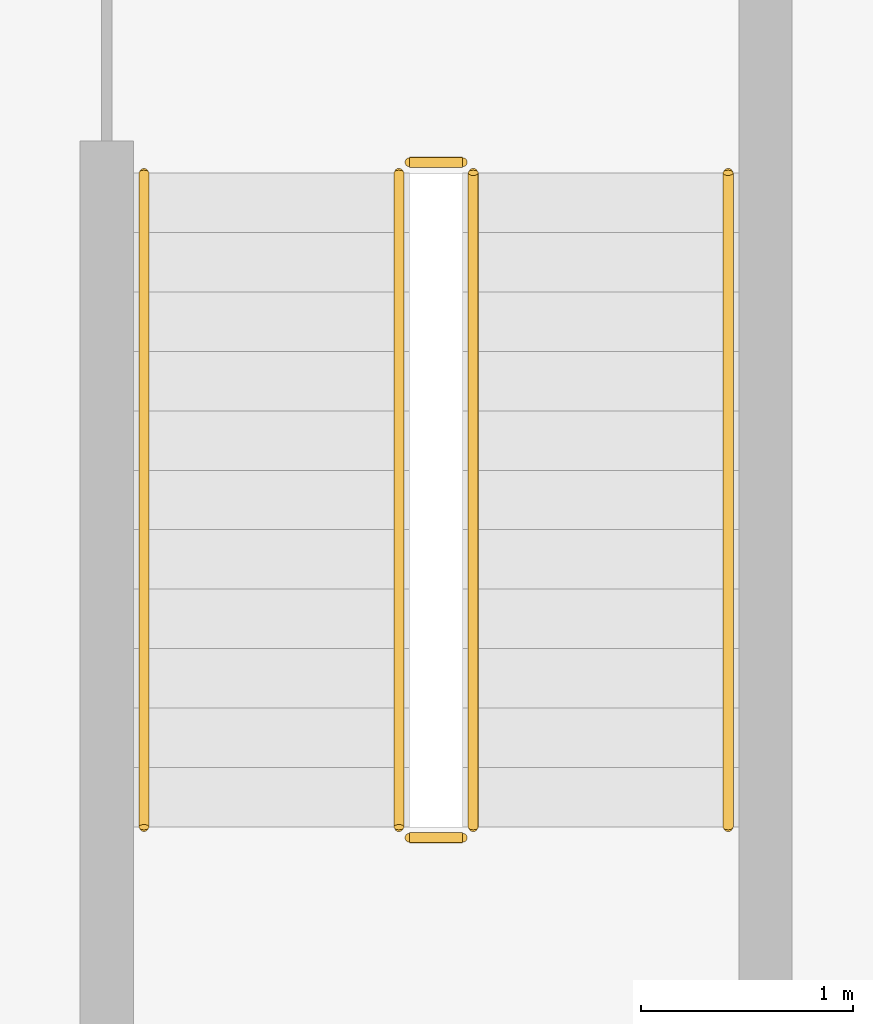
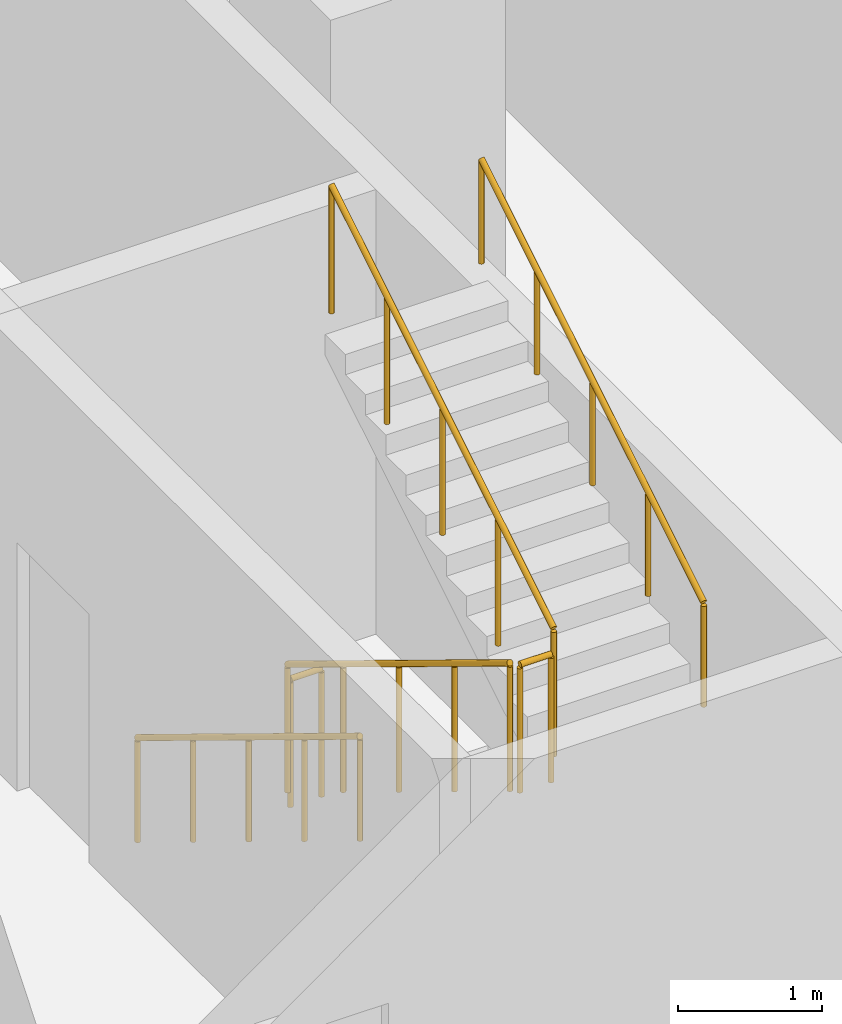
# One storey, part 24 of 29: 6 railings.
"""IFC4 building model written with IfcOpenShell, lengths in metres."""

from ifc_helpers import new_model, si_unit, direction, frame, origin, origin_2d, place, context, subcontext, project, spatial, circle, extrude, material, type_object, element, save


model = new_model("IFC4")

# Units and contexts
model_context = context("Model", 3, precision=1e-05, world=origin(), true_north=direction((0.0, 1.0)))
body_context = subcontext(model_context, "Body", "Model", "MODEL_VIEW")
ifc_project = project(units=[si_unit("LENGTHUNIT", "METRE"), si_unit("AREAUNIT", "SQUARE_METRE"), si_unit("VOLUMEUNIT", "CUBIC_METRE"), si_unit("PLANEANGLEUNIT", "RADIAN"), si_unit("MASSUNIT", "GRAM", prefix="KILO")], contexts=[model_context])

# Site, building, storey
site_placement = place(None, origin())
site = spatial("IfcSite", under=ifc_project, at=site_placement, CompositionType="ELEMENT")
building_placement = place(site_placement, origin())
building = spatial("IfcBuilding", under=site, at=building_placement, Name="Mahtab Terrace Research Tower", CompositionType="ELEMENT")
storey_placement = place(building_placement, frame((0.0, 0.0, 109.39990234375)))
storey = spatial("IfcBuildingStorey", under=building, at=storey_placement, Name="L25", CompositionType="ELEMENT", Elevation=109.39990234375)

# Railings
ifc_material = material(Name="Stainless steel AISI 304", Category="steel")
railing_type_1 = type_object("IfcRailingType", Name="Stair guard 1100", PredefinedType="GUARDRAIL", material=ifc_material)
railing_1_placement = place(storey_placement, frame((2.949951171875, -4.175048828125, 0.1708984375)))
element("IfcRailing", 1, at=railing_1_placement, inside=storey, type_object=railing_type_1, Name="L25 ST2 stair guard 1", PredefinedType="GUARDRAIL", context=body_context, shape_type="SweptSolid", body=[
    extrude(circle(Radius=0.02392578125, at=origin_2d()), frame((0.0, 0.0, 1.076171875), z_axis=(0.0, -0.853647949592, 0.520850437417), x_axis=(1.0, 0.0, 0.0)), (0.0, 0.0, 1.0), 3.60791015625),
    extrude(circle(Radius=0.02099609375, at=origin_2d()), origin(), (0.0, 0.0, 1.0), 1.052001953125),
    extrude(circle(Radius=0.02099609375, at=origin_2d()), frame((0.0, -0.77001953125, 0.4697265625)), (0.0, 0.0, 1.0), 1.052001953125),
    extrude(circle(Radius=0.02099609375, at=origin_2d()), frame((0.0, -1.5400390625, 0.939453125)), (0.0, 0.0, 1.0), 1.052001953125),
    extrude(circle(Radius=0.02099609375, at=origin_2d()), frame((0.0, -2.309814453125, 1.409423828125)), (0.0, 0.0, 1.0), 1.052001953125),
    extrude(circle(Radius=0.02099609375, at=origin_2d()), frame((0.0, -3.079833984375, 1.879150390625)), (0.0, 0.0, 1.0), 1.052001953125),
])
railing_2_placement = place(storey_placement, frame((3.0, -7.304931640625, 2.050048828125)))
element("IfcRailing", 2, at=railing_2_placement, inside=storey, type_object=railing_type_1, Name="L25 ST2 stair guard 2", PredefinedType="GUARDRAIL", context=body_context, shape_type="SweptSolid", body=[
    extrude(circle(Radius=0.02392578125, at=origin_2d()), frame((0.0, 0.0, 1.076171875), z_axis=(1.0, 0.0, 0.0), x_axis=(0.0, 1.0, 0.0)), (0.0, 0.0, 1.0), 0.25),
    extrude(circle(Radius=0.02099609375, at=origin_2d()), origin(), (0.0, 0.0, 1.0), 1.052001953125),
    extrude(circle(Radius=0.02099609375, at=origin_2d()), frame((0.25, 0.0, 0.0)), (0.0, 0.0, 1.0), 1.052001953125),
])
railing_3_placement = place(storey_placement, frame((3.300048828125, -7.2548828125, 2.220947265625)))
element("IfcRailing", 3, at=railing_3_placement, inside=storey, type_object=railing_type_1, Name="L25 ST2 stair guard 3", PredefinedType="GUARDRAIL", context=body_context, shape_type="SweptSolid", body=[
    extrude(circle(Radius=0.02392578125, at=origin_2d()), frame((0.0, 0.0, 1.076171875), z_axis=(0.0, 0.853647949592, 0.520850437417), x_axis=(-1.0, 0.0, 0.0)), (0.0, 0.0, 1.0), 3.60791015625),
    extrude(circle(Radius=0.02099609375, at=origin_2d()), origin(), (0.0, 0.0, 1.0), 1.052001953125),
    extrude(circle(Radius=0.02099609375, at=origin_2d()), frame((0.0, 0.77001953125, 0.4697265625)), (0.0, 0.0, 1.0), 1.052001953125),
    extrude(circle(Radius=0.02099609375, at=origin_2d()), frame((0.0, 1.5400390625, 0.939453125)), (0.0, 0.0, 1.0), 1.052001953125),
    extrude(circle(Radius=0.02099609375, at=origin_2d()), frame((0.0, 2.309814453125, 1.409423828125)), (0.0, 0.0, 1.0), 1.052001953125),
    extrude(circle(Radius=0.02099609375, at=origin_2d()), frame((0.0, 3.079833984375, 1.879150390625)), (0.0, 0.0, 1.0), 1.052001953125),
])
railing_4_placement = place(storey_placement, frame((3.0, -4.125, 0.0)))
element("IfcRailing", 4, at=railing_4_placement, inside=storey, type_object=railing_type_1, Name="L25 ST2 stair guard 4", PredefinedType="GUARDRAIL", context=body_context, shape_type="SweptSolid", body=[
    extrude(circle(Radius=0.02392578125, at=origin_2d()), frame((0.0, 0.0, 1.076171875), z_axis=(1.0, 0.0, 0.0), x_axis=(0.0, 1.0, 0.0)), (0.0, 0.0, 1.0), 0.25),
    extrude(circle(Radius=0.02099609375, at=origin_2d()), origin(), (0.0, 0.0, 1.0), 1.052001953125),
    extrude(circle(Radius=0.02099609375, at=origin_2d()), frame((0.25, 0.0, 0.0)), (0.0, 0.0, 1.0), 1.052001953125),
])
railing_type_2 = type_object("IfcRailingType", Name="Stair handrail 900", PredefinedType="HANDRAIL", material=ifc_material)
railing_5_placement = place(storey_placement, frame((1.75, -4.175048828125, 0.1708984375)))
element("IfcRailing", 5, at=railing_5_placement, inside=storey, type_object=railing_type_2, Name="L25 ST2 stair handrail 1", PredefinedType="HANDRAIL", context=body_context, shape_type="SweptSolid", body=[
    extrude(circle(Radius=0.02392578125, at=origin_2d()), frame((0.0, 0.0, 0.8759765625), z_axis=(0.0, -0.853647949592, 0.520850437417), x_axis=(1.0, 0.0, 0.0)), (0.0, 0.0, 1.0), 3.60791015625),
    extrude(circle(Radius=0.02099609375, at=origin_2d()), origin(), (0.0, 0.0, 1.0), 0.851806640625),
    extrude(circle(Radius=0.02099609375, at=origin_2d()), frame((0.0, -0.77001953125, 0.4697265625)), (0.0, 0.0, 1.0), 0.851806640625),
    extrude(circle(Radius=0.02099609375, at=origin_2d()), frame((0.0, -1.5400390625, 0.939453125)), (0.0, 0.0, 1.0), 0.851806640625),
    extrude(circle(Radius=0.02099609375, at=origin_2d()), frame((0.0, -2.309814453125, 1.409423828125)), (0.0, 0.0, 1.0), 0.851806640625),
    extrude(circle(Radius=0.02099609375, at=origin_2d()), frame((0.0, -3.079833984375, 1.879150390625)), (0.0, 0.0, 1.0), 0.851806640625),
])
railing_6_placement = place(storey_placement, frame((4.5, -7.2548828125, 2.220947265625)))
element("IfcRailing", 6, at=railing_6_placement, inside=storey, type_object=railing_type_2, Name="L25 ST2 stair handrail 2", PredefinedType="HANDRAIL", context=body_context, shape_type="SweptSolid", body=[
    extrude(circle(Radius=0.02392578125, at=origin_2d()), frame((0.0, 0.0, 0.8759765625), z_axis=(0.0, 0.853647949592, 0.520850437417), x_axis=(-1.0, 0.0, 0.0)), (0.0, 0.0, 1.0), 3.60791015625),
    extrude(circle(Radius=0.02099609375, at=origin_2d()), origin(), (0.0, 0.0, 1.0), 0.851806640625),
    extrude(circle(Radius=0.02099609375, at=origin_2d()), frame((0.0, 0.77001953125, 0.4697265625)), (0.0, 0.0, 1.0), 0.851806640625),
    extrude(circle(Radius=0.02099609375, at=origin_2d()), frame((0.0, 1.5400390625, 0.939453125)), (0.0, 0.0, 1.0), 0.851806640625),
    extrude(circle(Radius=0.02099609375, at=origin_2d()), frame((0.0, 2.309814453125, 1.409423828125)), (0.0, 0.0, 1.0), 0.851806640625),
    extrude(circle(Radius=0.02099609375, at=origin_2d()), frame((0.0, 3.079833984375, 1.879150390625)), (0.0, 0.0, 1.0), 0.851806640625),
])

save(model, "model.ifc")
